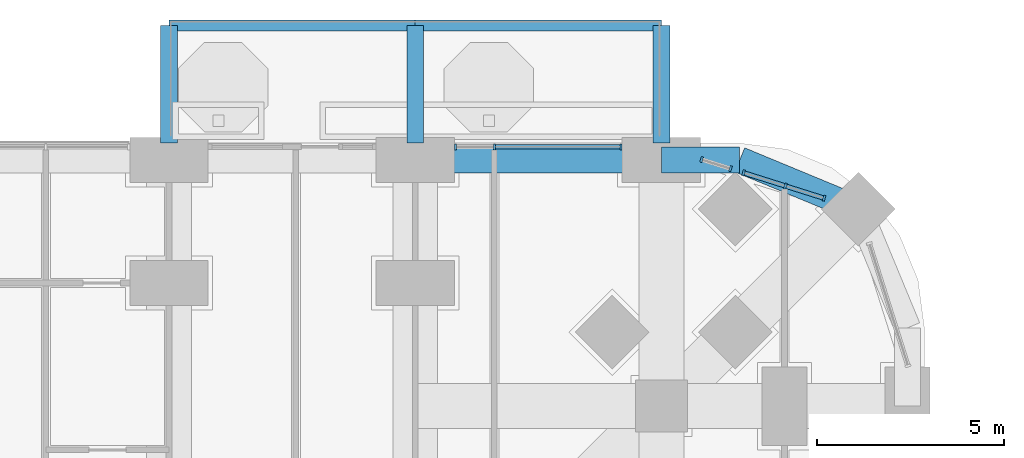
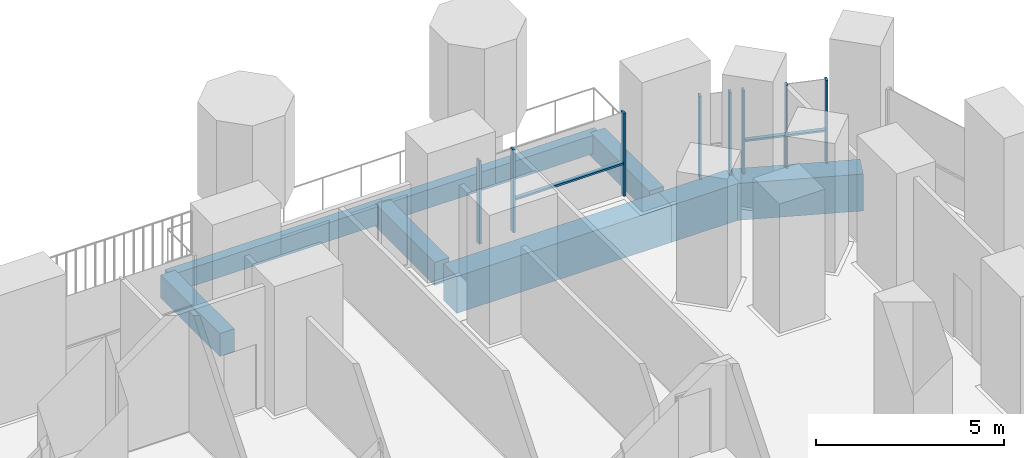
# One storey, part 10 of 27: 11 members, 8 beams, 3 elements without a shape of their own.
"""IFC4 building model written with IfcOpenShell, lengths in metres."""

from ifc_helpers import new_model, si_unit, direction, frame, origin, origin_2d, place, context, subcontext, project, spatial, rectangle, extrude, material, material_profile, profile_set, type_object, element, aggregate, save


model = new_model("IFC4")

# Units and contexts
model_context = context("Model", 3, precision=1e-05, world=origin(), true_north=direction((0.0, 1.0)))
body_context = subcontext(model_context, "Body", "Model", "MODEL_VIEW")
ifc_project = project(units=[si_unit("LENGTHUNIT", "METRE"), si_unit("AREAUNIT", "SQUARE_METRE"), si_unit("VOLUMEUNIT", "CUBIC_METRE"), si_unit("PLANEANGLEUNIT", "RADIAN"), si_unit("MASSUNIT", "GRAM", prefix="KILO")], contexts=[model_context])

# Site, building, storey
site_placement = place(None, origin())
site = spatial("IfcSite", under=ifc_project, at=site_placement, CompositionType="ELEMENT")
building_placement = place(site_placement, origin())
building = spatial("IfcBuilding", under=site, at=building_placement, Name="Cobogo Forest Laboratory Tower", CompositionType="ELEMENT")
storey_placement = place(building_placement, frame((0.0, 0.0, 38.10009765625)))
storey = spatial("IfcBuildingStorey", under=building, at=storey_placement, Name="L08", CompositionType="ELEMENT", Elevation=38.10009765625)

# Beams
ifc_material_1 = material(Name="Concrete HA-40 (C40/50)", Category="concrete")
ifc_material_profile_1 = material_profile(ifc_material_1, rectangle(XDim=0.449951171875, YDim=0.75, at=origin_2d()), Name="RC 450x750")
ifc_profile_set_1 = profile_set([ifc_material_profile_1], Name="Concrete HA-40 (C40/50)")
beam_type_1 = type_object("IfcBeamType", Name="Balcony cantilever beam 450x750", PredefinedType="BEAM", material=ifc_profile_set_1)
for number, where, z_axis, x_axis, name in (
    (1, (33.0, 46.64990234375, -0.625), (0.0, 1.0, 0.0), (-1.0, 0.0, 0.0), "CB1 BAL-N2-C1 L08"),
    (2, (39.60009765625, 46.64990234375, -0.625), (0.0, 1.0, 0.0), (-1.0, 0.0, 0.0), "CB1 BAL-N2-C2 L08"),
    (3, (46.199951171875, 46.64990234375, -0.625), (0.0, 1.0, 0.0), (-1.0, 0.0, 0.0), "CB1 BAL-N2-C3 L08"),
):
    element("IfcBeam", number, at=place(storey_placement, frame(where, z_axis=z_axis, x_axis=x_axis)), inside=storey, type_object=beam_type_1, Name=name, PredefinedType="BEAM", context=body_context, shape_type="SweptSolid", body=[
        extrude(rectangle(XDim=0.449951171875, YDim=0.75, at=origin_2d()), origin(), (0.0, 0.0, 1.0), 3.150146484375),
    ])
ifc_material_profile_2 = material_profile(ifc_material_1, rectangle(XDim=0.300048828125, YDim=0.60009765625, at=origin_2d()), Name="RC 300x600")
ifc_profile_set_2 = profile_set([ifc_material_profile_2], Name="Concrete HA-40 (C40/50)")
beam_type_2 = type_object("IfcBeamType", Name="Balcony edge beam 300x600", PredefinedType="BEAM", material=ifc_profile_set_2)
beam_1_placement = place(storey_placement, frame((33.0, 49.800048828125, -0.550048828125), z_axis=(1.0, 0.0, 0.0), x_axis=(0.0, 1.0, 0.0)))
element("IfcBeam", 4, at=beam_1_placement, inside=storey, type_object=beam_type_2, Name="BB1 BAL-N2-T1 L08", PredefinedType="BEAM", context=body_context, shape_type="SweptSolid", body=[
    extrude(rectangle(XDim=0.300048828125, YDim=0.60009765625, at=origin_2d()), origin(), (0.0, 0.0, 1.0), 6.60009765625),
])
beam_2_placement = place(storey_placement, frame((39.60009765625, 49.800048828125, -0.550048828125), z_axis=(1.0, 0.0, 0.0), x_axis=(0.0, 1.0, 0.0)))
element("IfcBeam", 5, at=beam_2_placement, inside=storey, type_object=beam_type_2, Name="BB1 BAL-N2-T2 L08", PredefinedType="BEAM", context=body_context, shape_type="SweptSolid", body=[
    extrude(rectangle(XDim=0.300048828125, YDim=0.60009765625, at=origin_2d()), origin(), (0.0, 0.0, 1.0), 6.599853515625),
])

# Curtain wall, members
ifc_material_2 = material(Name="Aluminium curtain wall", Category="aluminium")
curtain_wall_type = type_object("IfcCurtainWallType", Name="CW-1 unitised curtain wall, clear glazing, laboratory floors zones A and B", PredefinedType="USERDEFINED", material=ifc_material_2)
curtain_wall_1_placement = place(storey_placement, origin())
curtain_wall_1 = element("IfcCurtainWall", 6, at=curtain_wall_1_placement, inside=storey, type_object=curtain_wall_type, Name="Curtain wall 16 L08", ObjectType="UNITISED CURTAIN WALL", PredefinedType="USERDEFINED")
ifc_material_3 = material(Name="Aluminium mullion", Category="aluminium")
ifc_material_profile_3 = material_profile(ifc_material_3, rectangle(XDim=0.06005859375, YDim=0.159912109375, at=origin_2d()), Name="AL 60x160")
ifc_profile_set_3 = profile_set([ifc_material_profile_3], Name="Aluminium mullion")
member_type_1 = type_object("IfcMemberType", Name="MU-1 aluminium mullion 60x160", PredefinedType="MULLION", material=ifc_profile_set_3)
member_1_placement = place(storey_placement, frame((50.561279296875, 45.1728515625, 0.0), z_axis=(0.0, 0.0, 1.0), x_axis=(-0.953581409645, 0.301135343623, 0.0)))
member_1 = element("IfcMember", 7, at=member_1_placement, type_object=member_type_1, Name="CW-1 mullion 1", PredefinedType="MULLION", context=body_context, shape_type="SweptSolid", body=[
    extrude(rectangle(XDim=0.06005859375, YDim=0.159912109375, at=origin_2d()), origin(), (0.0, 0.0, 1.0), 2.699951171875),
])
member_2_placement = place(storey_placement, frame((49.524169921875, 45.500244140625, 0.0), z_axis=(0.0, 0.0, 1.0), x_axis=(-0.953581409645, 0.301135343623, 0.0)))
member_2 = element("IfcMember", 8, at=member_2_placement, type_object=member_type_1, Name="CW-1 mullion 2", PredefinedType="MULLION", context=body_context, shape_type="SweptSolid", body=[
    extrude(rectangle(XDim=0.06005859375, YDim=0.159912109375, at=origin_2d()), origin(), (0.0, 0.0, 1.0), 2.699951171875),
])
member_3_placement = place(storey_placement, frame((48.403076171875, 45.854248046875, 0.0), z_axis=(0.0, 0.0, 1.0), x_axis=(-0.953581409645, 0.301135343623, 0.0)))
member_3 = element("IfcMember", 9, at=member_3_placement, type_object=member_type_1, Name="CW-1 mullion 3", PredefinedType="MULLION", context=body_context, shape_type="SweptSolid", body=[
    extrude(rectangle(XDim=0.06005859375, YDim=0.159912109375, at=origin_2d()), origin(), (0.0, 0.0, 1.0), 2.699951171875),
])

curtain_wall_2_placement = place(storey_placement, origin())
curtain_wall_2 = element("IfcCurtainWall", 10, at=curtain_wall_2_placement, inside=storey, type_object=curtain_wall_type, Name="Curtain wall 17 L08", ObjectType="UNITISED CURTAIN WALL", PredefinedType="USERDEFINED")
member_4_placement = place(storey_placement, frame((48.05322265625, 45.96484375, 0.0), z_axis=(0.0, 0.0, 1.0), x_axis=(-0.953581504428, 0.301135043481, 0.0)))
member_4 = element("IfcMember", 11, at=member_4_placement, type_object=member_type_1, Name="CW-1 mullion 1", PredefinedType="MULLION", context=body_context, shape_type="SweptSolid", body=[
    extrude(rectangle(XDim=0.06005859375, YDim=0.159912109375, at=origin_2d()), origin(), (0.0, 0.0, 1.0), 2.699951171875),
])
member_5_placement = place(storey_placement, frame((47.278564453125, 46.20947265625, 0.0), z_axis=(0.0, 0.0, 1.0), x_axis=(-0.953581504428, 0.301135043481, 0.0)))
member_5 = element("IfcMember", 12, at=member_5_placement, type_object=member_type_1, Name="CW-1 mullion 2", PredefinedType="MULLION", context=body_context, shape_type="SweptSolid", body=[
    extrude(rectangle(XDim=0.06005859375, YDim=0.159912109375, at=origin_2d()), origin(), (0.0, 0.0, 1.0), 2.699951171875),
])
aggregate(curtain_wall_2, [member_4, member_5])

curtain_wall_3_placement = place(storey_placement, origin())
curtain_wall_3 = element("IfcCurtainWall", 13, at=curtain_wall_3_placement, inside=storey, type_object=curtain_wall_type, Name="Curtain wall 18 L08", ObjectType="UNITISED CURTAIN WALL", PredefinedType="USERDEFINED")
member_6_placement = place(storey_placement, frame((45.1201171875, 46.550048828125, 0.0), z_axis=(0.0, 0.0, 1.0), x_axis=(-1.0, 0.0, 0.0)))
member_6 = element("IfcMember", 14, at=member_6_placement, type_object=member_type_1, Name="CW-1 mullion 1", PredefinedType="MULLION", context=body_context, shape_type="SweptSolid", body=[
    extrude(rectangle(XDim=0.06005859375, YDim=0.159912109375, at=origin_2d()), origin(), (0.0, 0.0, 1.0), 2.699951171875),
])
member_7_placement = place(storey_placement, frame((41.72509765625, 46.550048828125, 0.0), z_axis=(0.0, 0.0, 1.0), x_axis=(-1.0, 0.0, 0.0)))
member_7 = element("IfcMember", 15, at=member_7_placement, type_object=member_type_1, Name="CW-1 mullion 2", PredefinedType="MULLION", context=body_context, shape_type="SweptSolid", body=[
    extrude(rectangle(XDim=0.06005859375, YDim=0.159912109375, at=origin_2d()), origin(), (0.0, 0.0, 1.0), 2.699951171875),
])
member_8_placement = place(storey_placement, frame((40.679931640625, 46.550048828125, 0.0), z_axis=(0.0, 0.0, 1.0), x_axis=(-1.0, 0.0, 0.0)))
member_8 = element("IfcMember", 16, at=member_8_placement, type_object=member_type_1, Name="CW-1 mullion 3", PredefinedType="MULLION", context=body_context, shape_type="SweptSolid", body=[
    extrude(rectangle(XDim=0.06005859375, YDim=0.159912109375, at=origin_2d()), origin(), (0.0, 0.0, 1.0), 2.699951171875),
])

# Beams
ifc_material_profile_4 = material_profile(ifc_material_1, rectangle(XDim=0.699951171875, YDim=1.199951171875, at=origin_2d()), Name="RC 700x1200")
ifc_profile_set_4 = profile_set([ifc_material_profile_4], Name="Concrete HA-40 (C40/50)")
beam_type_3 = type_object("IfcBeamType", Name="Perimeter edge beam 700x1200", PredefinedType="BEAM", material=ifc_profile_set_4)
beam_3_placement = place(storey_placement, frame((39.60009765625, 46.199951171875, -0.900146484375), z_axis=(1.0, 0.0, 0.0), x_axis=(0.0, 1.0, 0.0)))
element("IfcBeam", 17, at=beam_3_placement, inside=storey, type_object=beam_type_3, Name="EB1 E-N6 L08", PredefinedType="BEAM", context=body_context, shape_type="SweptSolid", body=[
    extrude(rectangle(XDim=0.699951171875, YDim=1.199951171875, at=origin_2d()), origin(), (0.0, 0.0, 1.0), 6.599853515625),
])
beam_4_placement = place(storey_placement, frame((46.199951171875, 46.199951171875, -0.900146484375), z_axis=(1.0, 0.0, 0.0), x_axis=(0.0, 1.0, 0.0)))
element("IfcBeam", 18, at=beam_4_placement, inside=storey, type_object=beam_type_3, Name="EB1 E-NEN1 L08", PredefinedType="BEAM", context=body_context, shape_type="SweptSolid", body=[
    extrude(rectangle(XDim=0.699951171875, YDim=1.199951171875, at=origin_2d()), origin(), (0.0, 0.0, 1.0), 2.10009765625),
])
beam_5_placement = place(storey_placement, frame((48.300048828125, 46.199951171875, -0.900146484375), z_axis=(0.923890694089, -0.382656484822, 0.0), x_axis=(0.382656484822, 0.923890694089, 0.0)))
element("IfcBeam", 19, at=beam_5_placement, inside=storey, type_object=beam_type_3, Name="EB1 E-NEN2 L08", PredefinedType="BEAM", context=body_context, shape_type="SweptSolid", body=[
    extrude(rectangle(XDim=0.699951171875, YDim=1.199951171875, at=origin_2d()), origin(), (0.0, 0.0, 1.0), 3.444091796875),
])

# Member
ifc_material_4 = material(Name="Aluminium transom", Category="aluminium")
ifc_material_profile_5 = material_profile(ifc_material_4, rectangle(XDim=0.1201171875, YDim=0.06005859375, at=origin_2d()), Name="AL 60x120")
ifc_profile_set_5 = profile_set([ifc_material_profile_5], Name="Aluminium transom")
member_type_2 = type_object("IfcMemberType", Name="TR-1 aluminium transom 60x120", PredefinedType="USERDEFINED", material=ifc_profile_set_5)
member_9_placement = place(storey_placement, frame((50.53271484375, 45.181884765625, 1.0498046875), z_axis=(-0.953622152866, 0.301006294888, 0.0), x_axis=(-0.301006294888, -0.953622152866, 0.0)))
member_9 = element("IfcMember", 20, at=member_9_placement, type_object=member_type_2, Name="CW-1 transom 1.1", ObjectType="TRANSOM", PredefinedType="USERDEFINED", context=body_context, shape_type="SweptSolid", body=[
    extrude(rectangle(XDim=0.1201171875, YDim=0.06005859375, at=origin_2d()), origin(), (0.0, 0.0, 1.0), 1.027587890625),
])

member_10_placement = place(storey_placement, frame((49.495361328125, 45.50927734375, 1.0498046875), z_axis=(-0.953576049467, 0.301152316747, 0.0), x_axis=(-0.301152316747, -0.953576049467, 0.0)))
member_10 = element("IfcMember", 21, at=member_10_placement, type_object=member_type_2, Name="CW-1 transom 2.1", ObjectType="TRANSOM", PredefinedType="USERDEFINED", context=body_context, shape_type="SweptSolid", body=[
    extrude(rectangle(XDim=0.1201171875, YDim=0.06005859375, at=origin_2d()), origin(), (0.0, 0.0, 1.0), 1.115478515625),
])

aggregate(curtain_wall_1, [member_1, member_2, member_3, member_9, member_10])

member_11_placement = place(storey_placement, frame((45.090087890625, 46.550048828125, 1.0498046875), z_axis=(-1.0, 0.0, 0.0), x_axis=(0.0, -1.0, 0.0)))
member_11 = element("IfcMember", 22, at=member_11_placement, type_object=member_type_2, Name="CW-1 transom 1.1", ObjectType="TRANSOM", PredefinedType="USERDEFINED", context=body_context, shape_type="SweptSolid", body=[
    extrude(rectangle(XDim=0.1201171875, YDim=0.06005859375, at=origin_2d()), origin(), (0.0, 0.0, 1.0), 3.335205078125),
])

aggregate(curtain_wall_3, [member_6, member_7, member_8, member_11])

save(model, "model.ifc")
